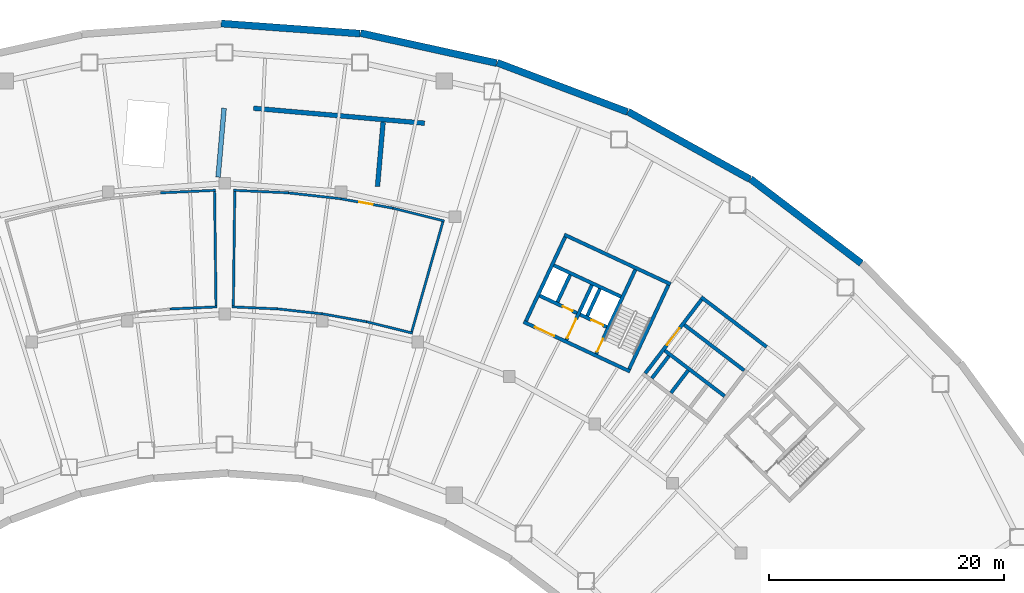
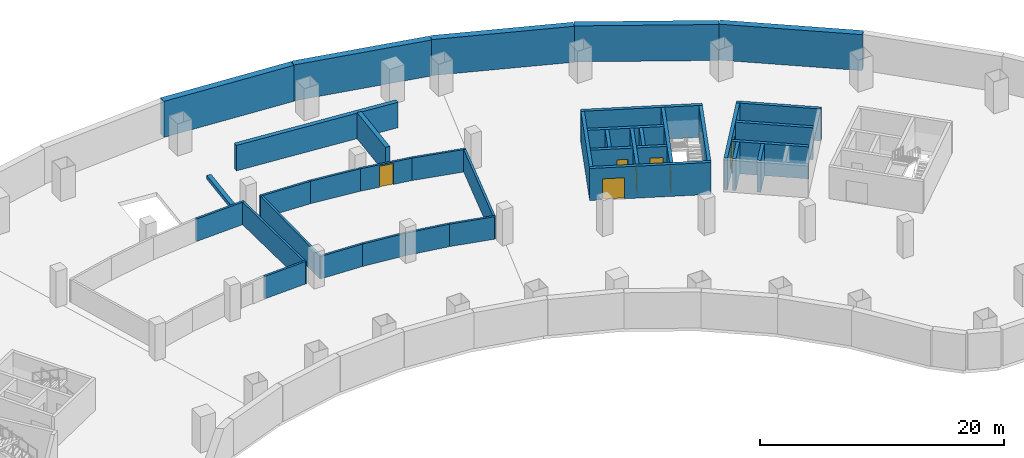
# One storey, part 7 of 10: 38 walls, 7 doors, 7 openings.
"""IFC4 building model written with IfcOpenShell, lengths in metres."""

import ifcopenshell
import ifcopenshell.guid

model = None  # the IFC model being written
_history = None  # IfcOwnerHistory: only IFC2X3 demands one
_inside = {}  # id of a spatial element -> (the spatial element, [elements in it])
_under = {}  # id of a project, library or spatial element -> (it, [spatial elements below it])
_declared = {}  # id of a project -> (the project, [libraries it declares])
_typed = {}  # id of a type object -> (the type object, [elements of that type])
_made_of = {}  # id of a material, layer set ... -> (it, [elements and type objects made of it])


def new_model(schema):
    """Start an empty IFC model of exactly this schema.

    Asked for "IFC4X3", IfcOpenShell would pick the latest addendum, in which some entities
    have other attributes; the version numbers below select the first issue.
    IFC2X3 requires an IfcOwnerHistory on every rooted entity: one is made here for all.
    """
    global model, _history
    if schema == "IFC4X3":
        model = ifcopenshell.file(schema_version=(4, 3, 0, 0))
    else:
        model = ifcopenshell.file(schema=schema)
    _inside.clear()
    _under.clear()
    _declared.clear()
    _typed.clear()
    _made_of.clear()
    _history = None
    if model.schema == "IFC2X3":
        org = make("IfcOrganization", Name="unknown")
        user = make(
            "IfcPersonAndOrganization",
            ThePerson=make("IfcPerson", FamilyName="unknown"),
            TheOrganization=org,
        )
        app = make(
            "IfcApplication",
            ApplicationDeveloper=org,
            Version="unknown",
            ApplicationFullName="unknown",
            ApplicationIdentifier="unknown",
        )
        _history = make(
            "IfcOwnerHistory",
            OwningUser=user,
            OwningApplication=app,
            ChangeAction="ADDED",
            CreationDate=0,
        )
    return model


def make(cls, **values):
    """One entity of the class cls with the attributes given. An attribute that is None is left unset."""
    return model.create_entity(
        cls, **{name: value for name, value in values.items() if value is not None}
    )


def rooted(cls, **values):
    """An entity with a GlobalId (a new one), such as an element, a storey or a relation."""
    return make(cls, GlobalId=ifcopenshell.guid.new(), OwnerHistory=_history, **values)


def si_unit(unit_type, name, prefix=None):
    """IfcSIUnit, for example si_unit("LENGTHUNIT", "METRE", prefix="MILLI")."""
    return make("IfcSIUnit", UnitType=unit_type, Prefix=prefix, Name=name)


def assignment(units):
    """IfcUnitAssignment: the units of a project."""
    return None if units is None else make("IfcUnitAssignment", Units=units)


def point(xyz):
    """IfcCartesianPoint."""
    return None if xyz is None else make("IfcCartesianPoint", Coordinates=xyz)


def direction(xyz):
    """IfcDirection."""
    return None if xyz is None else make("IfcDirection", DirectionRatios=xyz)


def frame(location, z_axis=None, x_axis=None):
    """IfcAxis2Placement3D, a coordinate frame: its origin and axes. An axis left out is left unset."""
    return make(
        "IfcAxis2Placement3D",
        Location=point(location),
        Axis=direction(z_axis),
        RefDirection=direction(x_axis),
    )


def frame_2d(location, x_axis=None):
    """IfcAxis2Placement2D, a coordinate frame in the plane: its origin and x axis."""
    return make(
        "IfcAxis2Placement2D", Location=point(location), RefDirection=direction(x_axis)
    )


def origin():
    """The frame at (0, 0, 0) with its axes left unset."""
    return frame((0.0, 0.0, 0.0))


def place(relative_to, where):
    """IfcLocalPlacement: puts the frame where relative to a parent placement (None: the world)."""
    return make(
        "IfcLocalPlacement", PlacementRelTo=relative_to, RelativePlacement=where
    )


def context(
    kind, dimensions, precision=None, world=None, true_north=None, identifier=None
):
    """IfcGeometricRepresentationContext, for example the 3D "Model" context."""
    return make(
        "IfcGeometricRepresentationContext",
        ContextIdentifier=identifier,
        ContextType=kind,
        CoordinateSpaceDimension=dimensions,
        Precision=precision,
        WorldCoordinateSystem=world,
        TrueNorth=true_north,
    )


def subcontext(parent, identifier, kind, view, scale=None):
    """IfcGeometricRepresentationSubContext, for example "Body" below "Model"."""
    return make(
        "IfcGeometricRepresentationSubContext",
        ContextIdentifier=identifier,
        ContextType=kind,
        ParentContext=parent,
        TargetScale=scale,
        TargetView=view,
    )


def project(units=None, contexts=None):
    """IfcProject with its units and contexts."""
    return rooted(
        "IfcProject",
        Name="project",
        RepresentationContexts=contexts,
        UnitsInContext=assignment(units),
    )


def spatial(cls, under=None, at=None, **own):
    """A site, building, storey or space (cls), placed at a placement, below another one or the project."""
    s = rooted(cls, ObjectPlacement=at, **own)
    if under is not None:
        _under.setdefault(under.id(), (under, []))[1].append(s)
    return s


def profile(cls, at=None, kind="AREA", **sizes):
    """A parametric profile (cls). Its sizes go by their IFC names, for example OverallWidth=200.0."""
    return make(cls, ProfileType=kind, Position=at, **sizes)


def rectangle(**sizes):
    """IfcRectangleProfileDef."""
    return profile("IfcRectangleProfileDef", **sizes)


def extrude(swept, where, along, depth):
    """IfcExtrudedAreaSolid: the profile swept, set in the frame where, extruded along a direction by depth."""
    return make(
        "IfcExtrudedAreaSolid",
        SweptArea=swept,
        Position=where,
        ExtrudedDirection=direction(along),
        Depth=depth,
    )


def shape(context_of_items, identifier, shape_type, items):
    """IfcShapeRepresentation: the items that make up one representation, for example the "Body"."""
    return make(
        "IfcShapeRepresentation",
        ContextOfItems=context_of_items,
        RepresentationIdentifier=identifier,
        RepresentationType=shape_type,
        Items=items,
    )


def material(Name=None, Category=None):
    """IfcMaterial."""
    return make("IfcMaterial", Name=Name, Category=Category)


def layer(
    of_material, thickness, ventilated=None, Name=None, Category=None, Priority=None
):
    """IfcMaterialLayer: one layer of a wall or slab, of a material (None: an air gap)."""
    return make(
        "IfcMaterialLayer",
        Material=of_material,
        LayerThickness=thickness,
        IsVentilated=ventilated,
        Name=Name,
        Category=Category,
        Priority=Priority,
    )


def layer_set(layers, Name=None):
    """IfcMaterialLayerSet."""
    return make("IfcMaterialLayerSet", MaterialLayers=layers, LayerSetName=Name)


def made_of(thing, what):
    """Note that an element or type object is made of a material, layer set ...; save() writes the relation."""
    if what is not None:
        _made_of.setdefault(what.id(), (what, []))[1].append(thing)
    return thing


def type_object(cls, material=None, **own):
    """A type object (cls), such as IfcWallType, which elements share."""
    return made_of(rooted(cls, **own), material)


def element(
    cls,
    number,
    at=None,
    inside=None,
    cuts=None,
    type_object=None,
    material=None,
    context=None,
    identifier="Body",
    shape_type=None,
    held_by="IfcProductDefinitionShape",
    body=None,
    shapes=None,
    **own,
):
    """One element of the class cls, such as IfcWall. Its Tag is "e" and its number.

    at: its placement. inside: the storey or other place that contains it. cuts: it is an
    opening in that element (IfcRelVoidsElement). A single representation is given by context,
    identifier, shape_type and body (its items); several are given by shapes. held_by: the class
    of the entity that holds the representations. save() writes the other relations.
    """
    e = rooted(cls, Tag="e%d" % number, ObjectPlacement=at, **own)
    if body is not None:
        shapes = [shape(context, identifier, shape_type, body)]
    if shapes is not None:
        e.Representation = make(held_by, Representations=shapes)
    if inside is not None:
        _inside.setdefault(inside.id(), (inside, []))[1].append(e)
    if cuts is not None:
        rooted(
            "IfcRelVoidsElement", RelatingBuildingElement=cuts, RelatedOpeningElement=e
        )
    if type_object is not None:
        _typed.setdefault(type_object.id(), (type_object, []))[1].append(e)
    return made_of(e, material)


def fill(opening, filler):
    """IfcRelFillsElement: the door or window that sits in an opening."""
    return rooted(
        "IfcRelFillsElement",
        RelatingOpeningElement=opening,
        RelatedBuildingElement=filler,
    )


def aggregate(whole, parts):
    """IfcRelAggregates: a whole, such as a stair, and the parts it consists of."""
    return rooted("IfcRelAggregates", RelatingObject=whole, RelatedObjects=parts)


def save(model, path):
    """Write the relations noted so far, then the file.

    IfcRelAggregates (storeys below a building ...), IfcRelContainedInSpatialStructure (elements
    in a storey), IfcRelDefinesByType, IfcRelAssociatesMaterial and IfcRelDeclares: one each for
    every whole, place, type object, material and project.
    """
    for whole, parts in _under.values():
        aggregate(whole, parts)
    for where, things in _inside.values():
        rooted(
            "IfcRelContainedInSpatialStructure",
            RelatedElements=things,
            RelatingStructure=where,
        )
    for kind, things in _typed.values():
        rooted("IfcRelDefinesByType", RelatedObjects=things, RelatingType=kind)
    for what, things in _made_of.values():
        rooted("IfcRelAssociatesMaterial", RelatedObjects=things, RelatingMaterial=what)
    for by, libraries in _declared.values():
        rooted("IfcRelDeclares", RelatingContext=by, RelatedDefinitions=libraries)
    model.write(path)


model = new_model("IFC4")

# Units and contexts
model_context = context("Model", 3, precision=1e-05, world=origin(), true_north=direction((0.0, 1.0)))
body_context = subcontext(model_context, "Body", "Model", "MODEL_VIEW")
ifc_project = project(units=[si_unit("LENGTHUNIT", "METRE"), si_unit("AREAUNIT", "SQUARE_METRE"), si_unit("VOLUMEUNIT", "CUBIC_METRE"), si_unit("PLANEANGLEUNIT", "RADIAN"), si_unit("MASSUNIT", "GRAM", prefix="KILO")], contexts=[model_context])

# Site, building, storey
site_placement = place(None, origin())
site = spatial("IfcSite", under=ifc_project, at=site_placement, CompositionType="ELEMENT")
building_placement = place(site_placement, origin())
building = spatial("IfcBuilding", under=site, at=building_placement, Name="Tuul Gate Civic Tower", CompositionType="ELEMENT")
storey_placement = place(building_placement, frame((0.0, 0.0, -8.10009765625)))
storey = spatial("IfcBuildingStorey", under=building, at=storey_placement, Name="Basement 2", CompositionType="ELEMENT", Elevation=-8.10009765625)

# Walls
ifc_material_1 = material(Name="Concrete block", Category="concrete")
ifc_layer_1 = layer(ifc_material_1, 0.199951171875)
ifc_layer_set_1 = layer_set([ifc_layer_1], Name="Concrete block")
wall_type_1 = type_object("IfcWallType", Name="Basement room wall EI 120", PredefinedType="PARTITIONING", material=ifc_layer_set_1)
wall_1_placement = place(storey_placement, frame((-5.4560546875, 7.969970703125, 0.0), z_axis=(0.0, 0.0, 1.0), x_axis=(0.99895855138, 0.045626884883, 0.0)))
element("IfcWall", 1, at=wall_1_placement, inside=storey, type_object=wall_type_1, Name="Room wall", PredefinedType="PARTITIONING", context=body_context, shape_type="SweptSolid", body=[
    extrude(rectangle(XDim=4.697998046875, YDim=0.199951171875, at=frame_2d((2.34912109375, 0.0))), origin(), (0.0, 0.0, 1.0), 2.25),
])
wall_2_placement = place(storey_placement, frame((-0.864013671875, 8.27978515625, 0.0), z_axis=(0.0, 0.0, 1.0), x_axis=(0.012654163306, -0.99991993287, 0.0)))
element("IfcWall", 2, at=wall_2_placement, inside=storey, type_object=wall_type_1, Name="Room wall", PredefinedType="PARTITIONING", context=body_context, shape_type="SweptSolid", body=[
    extrude(rectangle(XDim=10.12890625, YDim=0.199951171875, at=frame_2d((5.064453125, 0.0))), origin(), (0.0, 0.0, 1.0), 2.25),
])
wall_3_placement = place(storey_placement, frame((-0.63720703125, -1.743896484375, 0.0), z_axis=(0.0, 0.0, 1.0), x_axis=(-0.998960181414, -0.045591182794, 0.0)))
element("IfcWall", 3, at=wall_3_placement, inside=storey, type_object=wall_type_1, Name="Room wall", PredefinedType="PARTITIONING", context=body_context, shape_type="SweptSolid", body=[
    extrude(rectangle(XDim=4.04296875, YDim=0.199951171875, at=frame_2d((2.021484375, 0.0))), origin(), (0.0, 0.0, 1.0), 2.25),
])
ifc_material_2 = material(Name="Concrete block", Category="concrete")
ifc_layer_2 = layer(ifc_material_2, 0.199951171875)
ifc_layer_set_2 = layer_set([ifc_layer_2], Name="Concrete block")
wall_type_2 = type_object("IfcWallType", Name="Basement room wall EI 60", PredefinedType="PARTITIONING", material=ifc_layer_set_2)
for number, where, z_axis, x_axis, name in (
    (4, (0.762939453125, 8.184326171875, 0.0), (0.0, 0.0, 1.0), (0.99895855138, -0.045626884883, 0.0), "Room wall"),
    (5, (5.2568359375, 7.985595703125, 0.0), (0.0, 0.0, 1.0), (0.993779358968, -0.111366896735, 0.0), "Room wall"),
):
    element("IfcWall", number, at=place(storey_placement, frame(where, z_axis=z_axis, x_axis=x_axis)), inside=storey, type_object=wall_type_2, Name=name, PredefinedType="PARTITIONING", context=body_context, shape_type="SweptSolid", body=[
        extrude(rectangle(XDim=4.697998046875, YDim=0.199951171875, at=frame_2d((2.34912109375, 0.0))), origin(), (0.0, 0.0, 1.0), 2.25),
    ])

# Wall, opening, door
wall_4_placement = place(storey_placement, frame((9.727783203125, 7.4912109375, 0.0), z_axis=(0.0, 0.0, 1.0), x_axis=(0.984266572601, -0.176689881037, 0.0)))
wall_4 = element("IfcWall", 6, at=wall_4_placement, inside=storey, type_object=wall_type_2, Name="Room wall", PredefinedType="PARTITIONING", context=body_context, shape_type="SweptSolid", body=[
    extrude(rectangle(XDim=4.697998046875, YDim=0.199951171875, at=frame_2d((2.34912109375, 0.0))), origin(), (0.0, 0.0, 1.0), 2.25),
])
opening_1_placement = place(wall_4_placement, frame((1.7490234375, 0.0, 0.0)))
opening_1 = element("IfcOpeningElement", 7, at=opening_1_placement, cuts=wall_4, Name="Opening PD", PredefinedType="OPENING", context=body_context, shape_type="SweptSolid", body=[
    extrude(rectangle(XDim=1.199951171875, YDim=2.10009765625, at=frame_2d((0.60009765625, 1.050048828125))), frame((0.0, 0.10986328125, 0.0), z_axis=(0.0, -1.0, 0.0), x_axis=(1.0, 0.0, 0.0)), (0.0, 0.0, 1.0), 0.219970703125),
])
ifc_material_3 = material(Name="Steel door", Category="steel")
door_type_1 = type_object("IfcDoorType", Name="Plant room door", OperationType="DOUBLE_DOOR_SINGLE_SWING", PredefinedType="DOOR", material=ifc_material_3)
door_1_placement = place(opening_1_placement, origin())
door_1 = element("IfcDoor", 8, at=door_1_placement, inside=storey, type_object=door_type_1, Name="Door", OperationType="DOUBLE_DOOR_SINGLE_SWING", OverallHeight=2.10009765625, OverallWidth=1.199951171875, PredefinedType="DOOR", context=body_context, shape_type="SweptSolid", body=[
    extrude(rectangle(XDim=1.199951171875, YDim=2.10009765625, at=frame_2d((0.60009765625, 1.050048828125))), frame((0.0, 0.02490234375, 0.0), z_axis=(0.0, -1.0, 0.0), x_axis=(1.0, 0.0, 0.0)), (0.0, 0.0, 1.0), 0.050048828125),
])
fill(opening_1, door_1)

# Walls
wall_5_placement = place(storey_placement, frame((14.15625, 6.702880859375, 0.0), z_axis=(0.0, 0.0, 1.0), x_axis=(0.970480863672, -0.24117813592, 0.0)))
element("IfcWall", 9, at=wall_5_placement, inside=storey, type_object=wall_type_2, Name="Room wall", PredefinedType="PARTITIONING", context=body_context, shape_type="SweptSolid", body=[
    extrude(rectangle(XDim=4.697998046875, YDim=0.199951171875, at=frame_2d((2.34912109375, 0.0))), origin(), (0.0, 0.0, 1.0), 2.25),
])
wall_6_placement = place(storey_placement, frame((18.64599609375, 5.690185546875, 0.0), z_axis=(0.0, 0.0, 1.0), x_axis=(-0.273062164325, -0.961996390021, 0.0)))
element("IfcWall", 10, at=wall_6_placement, inside=storey, type_object=wall_type_2, Name="Room wall", PredefinedType="PARTITIONING", context=body_context, shape_type="SweptSolid", body=[
    extrude(rectangle(XDim=10.129150390625, YDim=0.199951171875, at=frame_2d((5.064453125, 0.0))), origin(), (0.0, 0.0, 1.0), 2.25),
])
for number, where, z_axis, x_axis, name in (
    (11, (16.00439453125, -3.981689453125, 0.0), (0.0, 0.0, 1.0), (-0.970479017696, 0.241185563853, 0.0), "Room wall"),
    (12, (12.2763671875, -3.04833984375, 0.0), (0.0, 0.0, 1.0), (-0.984277937108, 0.176626562334, 0.0), "Room wall"),
    (13, (8.49462890625, -2.363037109375, 0.0), (0.0, 0.0, 1.0), (-0.993774261055, 0.111412378419, 0.0), "Room wall"),
    (14, (4.676025390625, -1.92822265625, 0.0), (0.0, 0.0, 1.0), (-0.998960181414, 0.045591182794, 0.0), "Room wall"),
):
    element("IfcWall", number, at=place(storey_placement, frame(where, z_axis=z_axis, x_axis=x_axis)), inside=storey, type_object=wall_type_2, Name=name, PredefinedType="PARTITIONING", context=body_context, shape_type="SweptSolid", body=[
        extrude(rectangle(XDim=4.04296875, YDim=0.199951171875, at=frame_2d((2.021484375, 0.0))), origin(), (0.0, 0.0, 1.0), 2.25),
    ])
wall_7_placement = place(storey_placement, frame((0.73583984375, -1.848388671875, 0.0), z_axis=(0.0, 0.0, 1.0), x_axis=(0.012654163306, 0.99991993287, 0.0)))
element("IfcWall", 15, at=wall_7_placement, inside=storey, type_object=wall_type_2, Name="Room wall", PredefinedType="PARTITIONING", context=body_context, shape_type="SweptSolid", body=[
    extrude(rectangle(XDim=10.12890625, YDim=0.199951171875, at=frame_2d((5.064453125, 0.0))), origin(), (0.0, 0.0, 1.0), 2.25),
])

# Wall, opening, door
ifc_material_4 = material(Name="Concrete C50/60", Category="concrete")
ifc_layer_3 = layer(ifc_material_4, 0.300048828125)
ifc_layer_set_3 = layer_set([ifc_layer_3], Name="Concrete C50/60")
wall_type_3 = type_object("IfcWallType", Name="Core wall C50/60", PredefinedType="SHEAR", material=ifc_layer_set_3)
wall_8_placement = place(storey_placement, frame((34.5283203125, -7.25, 0.0), z_axis=(0.0, 0.0, 1.0), x_axis=(-0.906310338845, 0.422612789327, 0.0)))
wall_8 = element("IfcWall", 16, at=wall_8_placement, inside=storey, type_object=wall_type_3, Name="Core wall", PredefinedType="SHEAR", context=body_context, shape_type="SweptSolid", body=[
    extrude(rectangle(XDim=9.999755859375, YDim=0.300048828125, at=frame_2d((5.0, 0.0))), origin(), (0.0, 0.0, 1.0), 3.2001953125),
])
opening_2_placement = place(wall_8_placement, frame((7.125, 0.0, 0.0)))
opening_2 = element("IfcOpeningElement", 17, at=opening_2_placement, cuts=wall_8, Name="Opening LB-E3-LOBBY-1", PredefinedType="OPENING", context=body_context, shape_type="SweptSolid", body=[
    extrude(rectangle(XDim=1.800048828125, YDim=2.10009765625, at=frame_2d((0.89990234375, 1.050048828125))), frame((0.0, 0.16015625, 0.0), z_axis=(0.0, -1.0, 0.0), x_axis=(1.0, 0.0, 0.0)), (0.0, 0.0, 1.0), 0.320068359375),
])
ifc_material_5 = material(Name="Steel", Category="steel")
door_type_2 = type_object("IfcDoorType", Name="Lobby door", OperationType="DOUBLE_DOOR_SINGLE_SWING", PredefinedType="DOOR", material=ifc_material_5)
door_2_placement = place(opening_2_placement, origin())
door_2 = element("IfcDoor", 18, at=door_2_placement, inside=storey, type_object=door_type_2, Name="Lobby door E3-LOBBY", OperationType="DOUBLE_DOOR_SINGLE_SWING", OverallHeight=2.10009765625, OverallWidth=1.800048828125, PredefinedType="DOOR", context=body_context, shape_type="SweptSolid", body=[
    extrude(rectangle(XDim=1.800048828125, YDim=2.10009765625, at=frame_2d((0.89990234375, 1.050048828125))), frame((0.0, 0.02490234375, 0.0), z_axis=(0.0, -1.0, 0.0), x_axis=(1.0, 0.0, 0.0)), (0.0, 0.0, 1.0), 0.050048828125),
])
fill(opening_2, door_2)

wall_9_placement = place(storey_placement, frame((32.545654296875, -3.456787109375, 0.0), z_axis=(0.0, 0.0, 1.0), x_axis=(-0.906300357825, 0.42263419337, 0.0)))
wall_9 = element("IfcWall", 19, at=wall_9_placement, inside=storey, type_object=wall_type_3, Name="Core wall", PredefinedType="SHEAR", context=body_context, shape_type="SweptSolid", body=[
    extrude(rectangle(XDim=2.500244140625, YDim=0.300048828125, at=frame_2d((1.25, 0.0))), origin(), (0.0, 0.0, 1.0), 3.2001953125),
])
opening_3_placement = place(wall_9_placement, frame((0.324951171875, 0.0, 0.0)))
opening_3 = element("IfcOpeningElement", 20, at=opening_3_placement, cuts=wall_9, Name="Opening LD-FF-2", PredefinedType="OPENING", context=body_context, shape_type="SweptSolid", body=[
    extrude(rectangle(XDim=1.10009765625, YDim=2.10009765625, at=frame_2d((0.550048828125, 1.050048828125))), frame((0.0, 0.16015625, 0.0), z_axis=(0.0, -1.0, 0.0), x_axis=(1.0, 0.0, 0.0)), (0.0, 0.0, 1.0), 0.320068359375),
])
ifc_material_6 = material(Name="Stainless steel", Category="steel")
door_type_3 = type_object("IfcDoorType", Name="Landing door", OperationType="DOUBLE_DOOR_SLIDING", PredefinedType="DOOR", material=ifc_material_6)
door_3_placement = place(opening_3_placement, origin())
door_3 = element("IfcDoor", 21, at=door_3_placement, inside=storey, type_object=door_type_3, Name="Fire-fighting lift FF-2 landing door", OperationType="DOUBLE_DOOR_SLIDING", OverallHeight=2.10009765625, OverallWidth=1.10009765625, PredefinedType="DOOR", context=body_context, shape_type="SweptSolid", body=[
    extrude(rectangle(XDim=1.10009765625, YDim=2.10009765625, at=frame_2d((0.550048828125, 1.050048828125))), frame((0.0, 0.02490234375, 0.0), z_axis=(0.0, -1.0, 0.0), x_axis=(1.0, 0.0, 0.0)), (0.0, 0.0, 1.0), 0.050048828125),
])
fill(opening_3, door_3)

wall_10_placement = place(storey_placement, frame((30.0078125, -2.2734375, 0.0), z_axis=(0.0, 0.0, 1.0), x_axis=(-0.90630071767, 0.422633421716, 0.0)))
wall_10 = element("IfcWall", 22, at=wall_10_placement, inside=storey, type_object=wall_type_3, Name="Core wall", PredefinedType="SHEAR", context=body_context, shape_type="SweptSolid", body=[
    extrude(rectangle(XDim=3.5, YDim=0.300048828125, at=frame_2d((1.75, 0.0))), origin(), (0.0, 0.0, 1.0), 3.2001953125),
])
opening_4_placement = place(wall_10_placement, frame((0.425048828125, 0.0, 0.0)))
opening_4 = element("IfcOpeningElement", 23, at=opening_4_placement, cuts=wall_10, Name="Opening FB-E3A2", PredefinedType="OPENING", context=body_context, shape_type="SweptSolid", body=[
    extrude(rectangle(XDim=0.89990234375, YDim=2.10009765625, at=frame_2d((0.449951171875, 1.050048828125))), frame((0.0, 0.16015625, 0.0), z_axis=(0.0, -1.0, 0.0), x_axis=(1.0, 0.0, 0.0)), (0.0, 0.0, 1.0), 0.320068359375),
])
ifc_material_7 = material(Name="Steel", Category="steel")
door_type_4 = type_object("IfcDoorType", Name="Store door", OperationType="NOTDEFINED", PredefinedType="DOOR", material=ifc_material_7)
door_4_placement = place(opening_4_placement, frame((0.89990234375, 0.0, 0.0), z_axis=(0.0, 0.0, 1.0), x_axis=(-1.0, 0.0, 0.0)))
door_4 = element("IfcDoor", 24, at=door_4_placement, inside=storey, type_object=door_type_4, Name="Store door E3A2", OperationType="SINGLE_SWING_RIGHT", OverallHeight=2.10009765625, OverallWidth=0.89990234375, PredefinedType="DOOR", context=body_context, shape_type="SweptSolid", body=[
    extrude(rectangle(XDim=0.89990234375, YDim=2.10009765625, at=frame_2d((0.449951171875, 1.050048828125))), frame((0.0, 0.02490234375, 0.0), z_axis=(0.0, -1.0, 0.0), x_axis=(1.0, 0.0, 0.0)), (0.0, 0.0, 1.0), 0.050048828125),
])
fill(opening_4, door_4)

# Walls
wall_11_placement = place(storey_placement, frame((33.75, -0.873779296875, 0.0), z_axis=(0.0, 0.0, 1.0), x_axis=(-0.906300917592, 0.422632992999, 0.0)))
element("IfcWall", 25, at=wall_11_placement, inside=storey, type_object=wall_type_3, Name="Core wall", PredefinedType="SHEAR", context=body_context, shape_type="SweptSolid", body=[
    extrude(rectangle(XDim=6.300048828125, YDim=0.300048828125, at=frame_2d((3.14990234375, 0.0))), origin(), (0.0, 0.0, 1.0), 3.2001953125),
])
wall_12_placement = place(storey_placement, frame((37.993408203125, 0.181884765625, 0.0), z_axis=(0.0, 0.0, 1.0), x_axis=(-0.906310338845, 0.422612789327, 0.0)))
element("IfcWall", 26, at=wall_12_placement, inside=storey, type_object=wall_type_3, Name="Core wall", PredefinedType="SHEAR", context=body_context, shape_type="SweptSolid", body=[
    extrude(rectangle(XDim=9.999755859375, YDim=0.300048828125, at=frame_2d((5.0, 0.0))), origin(), (0.0, 0.0, 1.0), 3.2001953125),
])
wall_13_placement = place(storey_placement, frame((34.455810546875, -7.05078125, 0.0), z_axis=(0.0, 0.0, 1.0), x_axis=(0.422570768258, 0.906329932096, 0.0)))
element("IfcWall", 27, at=wall_13_placement, inside=storey, type_object=wall_type_3, Name="Core wall", PredefinedType="SHEAR", context=body_context, shape_type="SweptSolid", body=[
    extrude(rectangle(XDim=7.900146484375, YDim=0.300048828125, at=frame_2d((3.9501953125, 0.0))), origin(), (0.0, 0.0, 1.0), 3.2001953125),
])

# Wall, opening, door
wall_14_placement = place(storey_placement, frame((31.646240234375, -5.740478515625, 0.0), z_axis=(0.0, 0.0, 1.0), x_axis=(0.422582604137, 0.906324413596, 0.0)))
wall_14 = element("IfcWall", 28, at=wall_14_placement, inside=storey, type_object=wall_type_3, Name="Core wall", PredefinedType="SHEAR", context=body_context, shape_type="SweptSolid", body=[
    extrude(rectangle(XDim=7.89990234375, YDim=0.300048828125, at=frame_2d((3.949951171875, 0.0))), origin(), (0.0, 0.0, 1.0), 3.2001953125),
])
opening_5_placement = place(wall_14_placement, frame((0.199951171875, 0.0, 0.0)))
opening_5 = element("IfcOpeningElement", 29, at=opening_5_placement, cuts=wall_14, Name="Opening SD-ST-4", PredefinedType="OPENING", context=body_context, shape_type="SweptSolid", body=[
    extrude(rectangle(XDim=1.199951171875, YDim=2.10009765625, at=frame_2d((0.60009765625, 1.050048828125))), frame((0.0, 0.16015625, 0.0), z_axis=(0.0, -1.0, 0.0), x_axis=(1.0, 0.0, 0.0)), (0.0, 0.0, 1.0), 0.320068359375),
])
ifc_material_8 = material(Name="Steel", Category="steel")
door_type_5 = type_object("IfcDoorType", Name="Stair door", OperationType="NOTDEFINED", PredefinedType="DOOR", material=ifc_material_8)
door_5_placement = place(opening_5_placement, origin())
door_5 = element("IfcDoor", 30, at=door_5_placement, inside=storey, type_object=door_type_5, Name="Stair door ST-4", OperationType="SINGLE_SWING_LEFT", OverallHeight=2.10009765625, OverallWidth=1.199951171875, PredefinedType="DOOR", context=body_context, shape_type="SweptSolid", body=[
    extrude(rectangle(XDim=1.199951171875, YDim=2.10009765625, at=frame_2d((0.60009765625, 1.050048828125))), frame((0.0, 0.02490234375, 0.0), z_axis=(0.0, -1.0, 0.0), x_axis=(1.0, 0.0, 0.0)), (0.0, 0.0, 1.0), 0.050048828125),
])
fill(opening_5, door_5)

# Wall
wall_15_placement = place(storey_placement, frame((30.886962890625, -2.517822265625, 0.0), z_axis=(0.0, 0.0, 1.0), x_axis=(0.422612891016, 0.906310291427, 0.0)))
element("IfcWall", 31, at=wall_15_placement, inside=storey, type_object=wall_type_3, Name="Core wall", PredefinedType="SHEAR", context=body_context, shape_type="SweptSolid", body=[
    extrude(rectangle(XDim=2.550048828125, YDim=0.300048828125, at=frame_2d((1.27490234375, 0.0))), origin(), (0.0, 0.0, 1.0), 3.2001953125),
])

# Wall, opening, door
wall_16_placement = place(storey_placement, frame((29.108642578125, -4.557373046875, 0.0), z_axis=(0.0, 0.0, 1.0), x_axis=(0.422566235356, 0.90633204552, 0.0)))
wall_16 = element("IfcWall", 32, at=wall_16_placement, inside=storey, type_object=wall_type_3, Name="Core wall", PredefinedType="SHEAR", context=body_context, shape_type="SweptSolid", body=[
    extrude(rectangle(XDim=5.150146484375, YDim=0.300048828125, at=frame_2d((2.5751953125, 0.0))), origin(), (0.0, 0.0, 1.0), 3.2001953125),
])
opening_6_placement = place(wall_16_placement, frame((0.175048828125, 0.0, 0.0)))
opening_6 = element("IfcOpeningElement", 33, at=opening_6_placement, cuts=wall_16, Name="Opening LB-E3-FLOBBY-1", PredefinedType="OPENING", context=body_context, shape_type="SweptSolid", body=[
    extrude(rectangle(XDim=1.800048828125, YDim=2.10009765625, at=frame_2d((0.89990234375, 1.050048828125))), frame((0.0, 0.16015625, 0.0), z_axis=(0.0, -1.0, 0.0), x_axis=(1.0, 0.0, 0.0)), (0.0, 0.0, 1.0), 0.320068359375),
])
door_6_placement = place(opening_6_placement, frame((1.800048828125, 0.0, 0.0), z_axis=(0.0, 0.0, 1.0), x_axis=(-1.0, 0.0, 0.0)))
door_6 = element("IfcDoor", 34, at=door_6_placement, inside=storey, type_object=door_type_2, Name="Lobby door E3-FLOBBY", OperationType="DOUBLE_DOOR_SINGLE_SWING", OverallHeight=2.10009765625, OverallWidth=1.800048828125, PredefinedType="DOOR", context=body_context, shape_type="SweptSolid", body=[
    extrude(rectangle(XDim=1.800048828125, YDim=2.10009765625, at=frame_2d((0.900146484375, 1.050048828125))), frame((0.0, 0.02490234375, 0.0), z_axis=(0.0, -1.0, 0.0), x_axis=(1.0, 0.0, 0.0)), (0.0, 0.0, 1.0), 0.050048828125),
])
fill(opening_6, door_6)

# Walls
wall_17_placement = place(storey_placement, frame((28.349365234375, -1.33447265625, 0.0), z_axis=(0.0, 0.0, 1.0), x_axis=(0.422612891016, 0.906310291427, 0.0)))
element("IfcWall", 35, at=wall_17_placement, inside=storey, type_object=wall_type_3, Name="Core wall", PredefinedType="SHEAR", context=body_context, shape_type="SweptSolid", body=[
    extrude(rectangle(XDim=2.550048828125, YDim=0.300048828125, at=frame_2d((1.27490234375, 0.0))), origin(), (0.0, 0.0, 1.0), 3.2001953125),
])
wall_18_placement = place(storey_placement, frame((25.66455078125, -2.951416015625, 0.0), z_axis=(0.0, 0.0, 1.0), x_axis=(0.422582604137, 0.906324413596, 0.0)))
element("IfcWall", 36, at=wall_18_placement, inside=storey, type_object=wall_type_3, Name="Core wall", PredefinedType="SHEAR", context=body_context, shape_type="SweptSolid", body=[
    extrude(rectangle(XDim=7.89990234375, YDim=0.300048828125, at=frame_2d((3.949951171875, 0.0))), origin(), (0.0, 0.0, 1.0), 3.2001953125),
])
ifc_material_9 = material(Name="Concrete C40/50", Category="concrete")
ifc_layer_4 = layer(ifc_material_9, 0.300048828125)
ifc_layer_set_4 = layer_set([ifc_layer_4], Name="Concrete C40/50")
wall_type_4 = type_object("IfcWallType", Name="Lift shaft wall C40/50", PredefinedType="STANDARD", material=ifc_layer_set_4)
for number, where, z_axis, x_axis, name in (
    (37, (42.5888671875, -9.34765625, 0.0), (0.0, 0.0, 1.0), (-0.795584062101, 0.605843214149, 0.0), "Shaft wall"),
    (38, (44.254638671875, -7.15966796875, 0.0), (0.0, 0.0, 1.0), (-0.795565675562, 0.605867358312, 0.0), "Shaft wall"),
):
    element("IfcWall", number, at=place(storey_placement, frame(where, z_axis=z_axis, x_axis=x_axis)), inside=storey, type_object=wall_type_4, Name=name, PredefinedType="STANDARD", context=body_context, shape_type="SweptSolid", body=[
        extrude(rectangle(XDim=6.400146484375, YDim=0.300048828125, at=frame_2d((3.2001953125, 0.0))), origin(), (0.0, 0.0, 1.0), 3.2001953125),
    ])
wall_19_placement = place(storey_placement, frame((46.1591796875, -5.1533203125, 0.0), z_axis=(0.0, 0.0, 1.0), x_axis=(-0.795579811045, 0.605848796531, 0.0)))
element("IfcWall", 39, at=wall_19_placement, inside=storey, type_object=wall_type_4, Name="Shaft wall", PredefinedType="STANDARD", context=body_context, shape_type="SweptSolid", body=[
    extrude(rectangle(XDim=7.0, YDim=0.300048828125, at=frame_2d((3.5, 0.0))), origin(), (0.0, 0.0, 1.0), 3.2001953125),
])
wall_20_placement = place(storey_placement, frame((38.02099609375, -9.07421875, 0.0), z_axis=(0.0, 0.0, 1.0), x_axis=(0.605730519254, 0.795669867498, 0.0)))
element("IfcWall", 40, at=wall_20_placement, inside=storey, type_object=wall_type_4, Name="Shaft wall", PredefinedType="STANDARD", context=body_context, shape_type="SweptSolid", body=[
    extrude(rectangle(XDim=2.399658203125, YDim=0.300048828125, at=frame_2d((1.19970703125, 0.0))), origin(), (0.0, 0.0, 1.0), 3.2001953125),
])
wall_21_placement = place(storey_placement, frame((36.389892578125, -7.832275390625, 0.0), z_axis=(0.0, 0.0, 1.0), x_axis=(0.605745892068, 0.79565816419, 0.0)))
element("IfcWall", 41, at=wall_21_placement, inside=storey, type_object=wall_type_4, Name="Shaft wall", PredefinedType="STANDARD", context=body_context, shape_type="SweptSolid", body=[
    extrude(rectangle(XDim=2.400146484375, YDim=0.300048828125, at=frame_2d((1.2001953125, 0.0))), origin(), (0.0, 0.0, 1.0), 3.2001953125),
])

# Wall, opening, door
wall_22_placement = place(storey_placement, frame((35.8330078125, -7.408203125, 0.0), z_axis=(0.0, 0.0, 1.0), x_axis=(0.605769437763, 0.795640237967, 0.0)))
wall_22 = element("IfcWall", 42, at=wall_22_placement, inside=storey, type_object=wall_type_4, Name="Shaft wall", PredefinedType="STANDARD", context=body_context, shape_type="SweptSolid", body=[
    extrude(rectangle(XDim=7.900146484375, YDim=0.300048828125, at=frame_2d((3.9501953125, 0.0))), origin(), (0.0, 0.0, 1.0), 3.2001953125),
])
opening_7_placement = place(wall_22_placement, frame((3.02490234375, 0.0, 0.0)))
opening_7 = element("IfcOpeningElement", 43, at=opening_7_placement, cuts=wall_22, Name="Opening LB-E2-LOBBY-1", PredefinedType="OPENING", context=body_context, shape_type="SweptSolid", body=[
    extrude(rectangle(XDim=1.800048828125, YDim=2.10009765625, at=frame_2d((0.89990234375, 1.050048828125))), frame((0.0, 0.16015625, 0.0), z_axis=(0.0, -1.0, 0.0), x_axis=(1.0, 0.0, 0.0)), (0.0, 0.0, 1.0), 0.320068359375),
])
door_7_placement = place(opening_7_placement, origin())
door_7 = element("IfcDoor", 44, at=door_7_placement, inside=storey, type_object=door_type_2, Name="Lobby door E2-LOBBY", OperationType="DOUBLE_DOOR_SINGLE_SWING", OverallHeight=2.10009765625, OverallWidth=1.800048828125, PredefinedType="DOOR", context=body_context, shape_type="SweptSolid", body=[
    extrude(rectangle(XDim=1.800048828125, YDim=2.10009765625, at=frame_2d((0.89990234375, 1.050048828125))), frame((0.0, 0.02490234375, 0.0), z_axis=(0.0, -1.0, 0.0), x_axis=(1.0, 0.0, 0.0)), (0.0, 0.0, 1.0), 0.050048828125),
])
fill(opening_7, door_7)

# Walls
ifc_material_10 = material(Name="Concrete C40/50", Category="concrete")
ifc_layer_5 = layer(ifc_material_10, 0.39990234375)
ifc_layer_set_5 = layer_set([ifc_layer_5], Name="Concrete C40/50")
wall_type_5 = type_object("IfcWallType", Name="Ramp support wall 2552 HIGH", PredefinedType="SOLIDWALL", material=ifc_layer_set_5)
wall_23_placement = place(storey_placement, frame((2.462890625, 15.173828125, -0.0009765625), z_axis=(0.0, 0.0, 1.0), x_axis=(0.996195927407, -0.087141690463, 0.0)))
element("IfcWall", 45, at=wall_23_placement, inside=storey, type_object=wall_type_5, Name="Ramp support wall 2552 HIGH", PredefinedType="SOLIDWALL", context=body_context, shape_type="SweptSolid", body=[
    extrude(rectangle(XDim=14.62744140625, YDim=0.39990234375, at=frame_2d((7.313720703125, 0.0))), origin(), (0.0, 0.0, 1.0), 2.552001953125),
])
ifc_material_11 = material(Name="Concrete C40/50", Category="concrete")
ifc_layer_6 = layer(ifc_material_11, 0.39990234375)
ifc_layer_set_6 = layer_set([ifc_layer_6], Name="Concrete C40/50")
wall_type_6 = type_object("IfcWallType", Name="Ramp support wall 2635 HIGH", PredefinedType="SOLIDWALL", material=ifc_layer_set_6)
wall_24_placement = place(storey_placement, frame((13.498779296875, 13.987548828125, -0.0009765625), z_axis=(0.0, 0.0, 1.0), x_axis=(-0.087137214776, -0.996196318906, 0.0)))
element("IfcWall", 46, at=wall_24_placement, inside=storey, type_object=wall_type_6, Name="Ramp support wall 2635 HIGH", PredefinedType="SOLIDWALL", context=body_context, shape_type="SweptSolid", body=[
    extrude(rectangle(XDim=5.5, YDim=0.39990234375, at=frame_2d((2.75, 0.0))), origin(), (0.0, 0.0, 1.0), 2.63525390625),
])
ifc_material_12 = material(Name="Concrete C40/50", Category="concrete")
ifc_layer_7 = layer(ifc_material_12, 0.39990234375)
ifc_layer_set_7 = layer_set([ifc_layer_7], Name="Concrete C40/50")
wall_type_7 = type_object("IfcWallType", Name="Ramp support wall 368 HIGH", PredefinedType="SOLIDWALL", material=ifc_layer_set_7)
wall_25_placement = place(storey_placement, frame((-0.049560546875, 15.1728515625, -0.0009765625), z_axis=(0.0, 0.0, 1.0), x_axis=(-0.087116052453, -0.996198169746, 0.0)))
element("IfcWall", 47, at=wall_25_placement, inside=storey, type_object=wall_type_7, Name="Ramp support wall 368 HIGH", PredefinedType="SOLIDWALL", context=body_context, shape_type="SweptSolid", body=[
    extrude(rectangle(XDim=5.890869140625, YDim=0.39990234375, at=frame_2d((2.9453125, 0.0))), origin(), (0.0, 0.0, 1.0), 0.36865234375),
])
ifc_material_13 = material(Name="Concrete C40/50", Category="concrete")
ifc_layer_8 = layer(ifc_material_13, 0.60009765625)
ifc_layer_set_8 = layer_set([ifc_layer_8], Name="Concrete C40/50")
wall_type_8 = type_object("IfcWallType", Name="STR-BASEMENT-WALL-600", PredefinedType="SOLIDWALL", material=ifc_layer_set_8)
for number, where, z_axis, x_axis, name in (
    (48, (54.231201171875, 1.966796875, 0.0), (0.0, 0.0, 1.0), (-0.795598970655, 0.605823635964, 0.0), "Retaining wall"),
    (49, (44.7353515625, 9.135498046875, 0.0), (0.0, 0.0, 1.0), (-0.874610355662, 0.484826490375, 0.0), "Retaining wall"),
):
    element("IfcWall", number, at=place(storey_placement, frame(where, z_axis=z_axis, x_axis=x_axis)), inside=storey, type_object=wall_type_8, Name=name, PredefinedType="SOLIDWALL", context=body_context, shape_type="SweptSolid", body=[
        extrude(rectangle(XDim=11.85986328125, YDim=0.60009765625, at=frame_2d((5.929931640625, 0.0))), origin(), (0.0, 0.0, 1.0), 3.60009765625),
    ])
wall_26_placement = place(storey_placement, frame((34.305419921875, 14.86083984375, 0.0), z_axis=(0.0, 0.0, 1.0), x_axis=(-0.935370574705, 0.353669178719, 0.0)))
element("IfcWall", 50, at=wall_26_placement, inside=storey, type_object=wall_type_8, Name="Retaining wall", PredefinedType="SOLIDWALL", context=body_context, shape_type="SweptSolid", body=[
    extrude(rectangle(XDim=11.859375, YDim=0.60009765625, at=frame_2d((5.9296875, 0.0))), origin(), (0.0, 0.0, 1.0), 3.60009765625),
])
wall_27_placement = place(storey_placement, frame((23.159423828125, 19.0224609375, 0.0), z_axis=(0.0, 0.0, 1.0), x_axis=(-0.976553755783, 0.215273691068, 0.0)))
element("IfcWall", 51, at=wall_27_placement, inside=storey, type_object=wall_type_8, Name="Retaining wall", PredefinedType="SOLIDWALL", context=body_context, shape_type="SweptSolid", body=[
    extrude(rectangle(XDim=11.8603515625, YDim=0.60009765625, at=frame_2d((5.93017578125, 0.0))), origin(), (0.0, 0.0, 1.0), 3.60009765625),
])
wall_28_placement = place(storey_placement, frame((11.529296875, 21.53564453125, 0.0), z_axis=(0.0, 0.0, 1.0), x_axis=(-0.997386086205, 0.072256453304, 0.0)))
element("IfcWall", 52, at=wall_28_placement, inside=storey, type_object=wall_type_8, Name="Retaining wall", PredefinedType="SOLIDWALL", context=body_context, shape_type="SweptSolid", body=[
    extrude(rectangle(XDim=11.859619140625, YDim=0.60009765625, at=frame_2d((5.9296875, 0.0))), origin(), (0.0, 0.0, 1.0), 3.60009765625),
])

save(model, "model.ifc")
